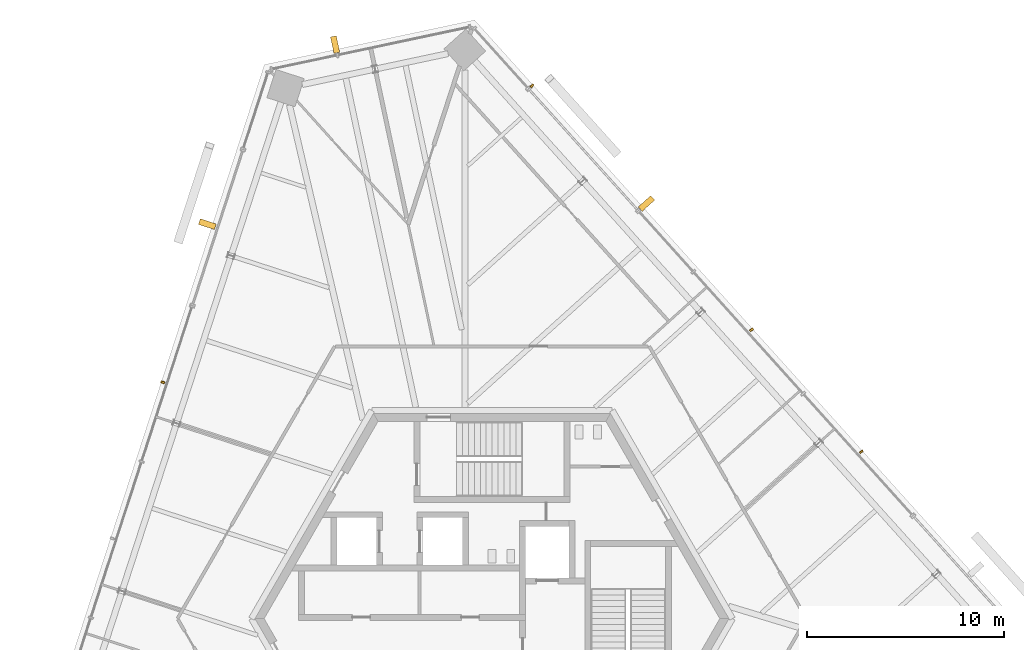
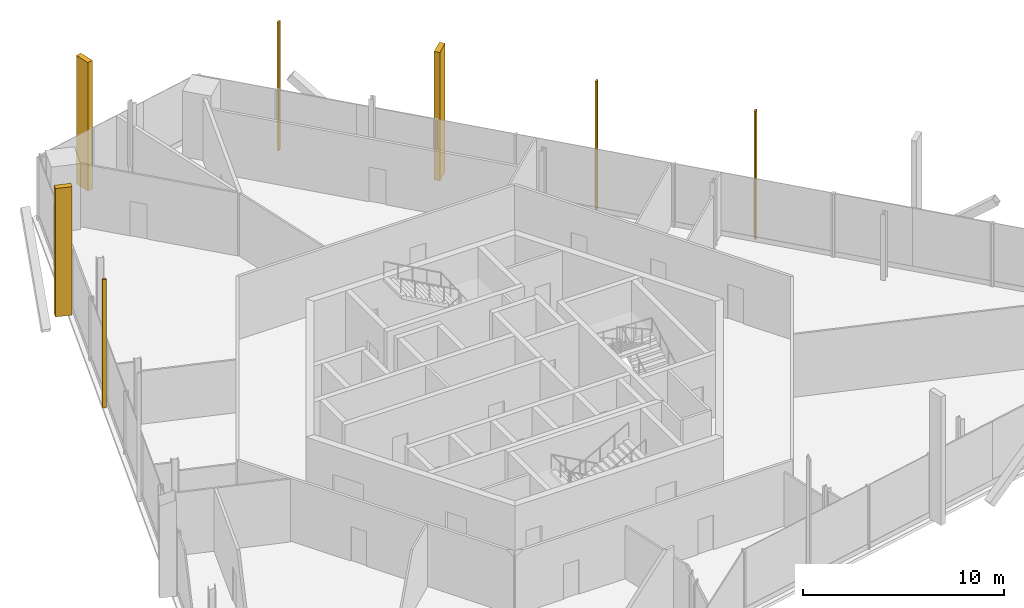
# One storey, part 16 of 17: 7 shading devices.
"""IFC4 building model written with IfcOpenShell, lengths in metres."""

from ifc_helpers import new_model, si_unit, direction, frame, origin, origin_2d, place, context, subcontext, project, spatial, rectangle, extrude, source, transform, mapped, material, element, save


model = new_model("IFC4")

# Units and contexts
model_context = context("Model", 3, precision=1e-05, world=origin(), true_north=direction((0.0, 1.0)))
body_context = subcontext(model_context, "Body", "Model", "MODEL_VIEW")
ifc_project = project(units=[si_unit("LENGTHUNIT", "METRE"), si_unit("AREAUNIT", "SQUARE_METRE"), si_unit("VOLUMEUNIT", "CUBIC_METRE"), si_unit("PLANEANGLEUNIT", "RADIAN"), si_unit("MASSUNIT", "GRAM", prefix="KILO")], contexts=[model_context])

# Site, building, storey
site_placement = place(None, origin())
site = spatial("IfcSite", under=ifc_project, at=site_placement, CompositionType="ELEMENT")
building_placement = place(site_placement, origin())
building = spatial("IfcBuilding", under=site, at=building_placement, Name="Triune Harvest Tower", CompositionType="ELEMENT")
storey_placement = place(building_placement, frame((0.0, 0.0, 288.699951171875)))
storey = spatial("IfcBuildingStorey", under=building, at=storey_placement, Name="L76", CompositionType="ELEMENT", Elevation=288.699951171875)

# Shading devices
ifc_material = material(Name="Aluminium bronze anodised", Category="aluminium")
shared_shape_1 = source(origin(), body_context, "Body", "SweptSolid", [
    extrude(rectangle(XDim=0.300048828125, YDim=0.85009765625, at=origin_2d()), origin(), (0.0, 0.0, 1.0), 7.800048828125),
])
for number, where, z_axis, x_axis, name in (
    (1, (7.82177734375, 21.023193359375, 0.0), (0.0, 0.0, 1.0), (-0.669131447108, 0.743144068463, 0.0), "FN-2 fin B7-F1.9 L76"),
    (2, (-7.943359375, 29.0712890625, 0.0), (0.0, 0.0, 1.0), (-0.978149078297, -0.207904739307, 0.0), "FN-2 fin B7-F2.3 L76"),
    (3, (-14.412109375, 19.9765625, 0.0), (0.0, 0.0, 1.0), (-0.309016354995, -0.951056724042, 0.0), "FN-2 fin B7-F3.3 L76"),
):
    element("IfcShadingDevice", number, at=place(storey_placement, frame(where, z_axis=z_axis, x_axis=x_axis)), inside=storey, material=ifc_material, Name=name, ObjectType="FIN", PredefinedType="USERDEFINED", context=body_context, shape_type="MappedRepresentation", body=[
        mapped(shared_shape_1, transform((0.0, 0.0, 0.0), scale=1.0)),
    ])
shared_shape_2 = source(origin(), body_context, "Body", "SweptSolid", [
    extrude(rectangle(XDim=0.10009765625, YDim=0.199951171875, at=origin_2d()), origin(), (0.0, 0.0, 1.0), 7.800048828125),
])
for number, where, z_axis, x_axis, name in (
    (4, (18.703369140625, 8.452392578125, 0.0), (0.0, 0.0, 1.0), (-0.669131447108, 0.743144068463, 0.0), "FN-1 fin B7-F1.5 L76"),
    (5, (13.141845703125, 14.62890625, 0.0), (0.0, 0.0, 1.0), (-0.669131447108, 0.743144068463, 0.0), "FN-1 fin B7-F1.7 L76"),
    (6, (2.018798828125, 26.982421875, 0.0), (0.0, 0.0, 1.0), (-0.669131447108, 0.743144068463, 0.0), "FN-1 fin B7-F1.11 L76"),
    (7, (-16.671630859375, 11.971435546875, 0.0), (0.0, 0.0, 1.0), (-0.309016354995, -0.951056724042, 0.0), "FN-1 fin B7-F3.5 L76"),
):
    element("IfcShadingDevice", number, at=place(storey_placement, frame(where, z_axis=z_axis, x_axis=x_axis)), inside=storey, material=ifc_material, Name=name, ObjectType="FIN", PredefinedType="USERDEFINED", context=body_context, shape_type="MappedRepresentation", body=[
        mapped(shared_shape_2, transform((0.0, 0.0, 0.0), scale=1.0)),
    ])

save(model, "model.ifc")
